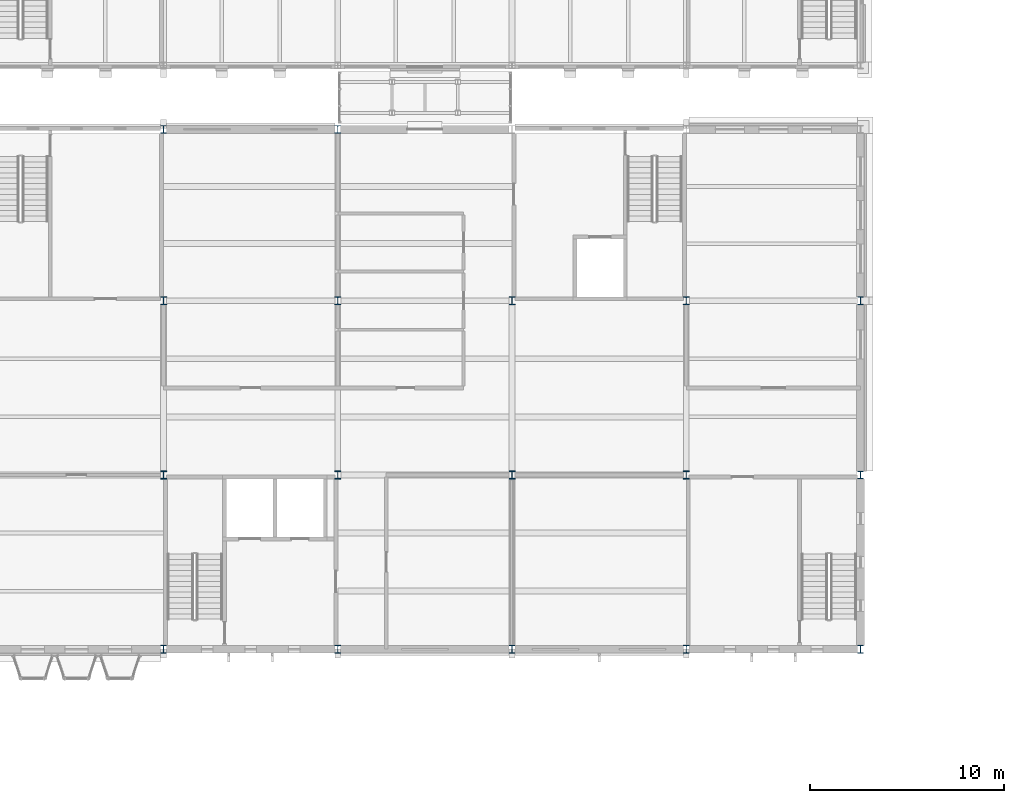
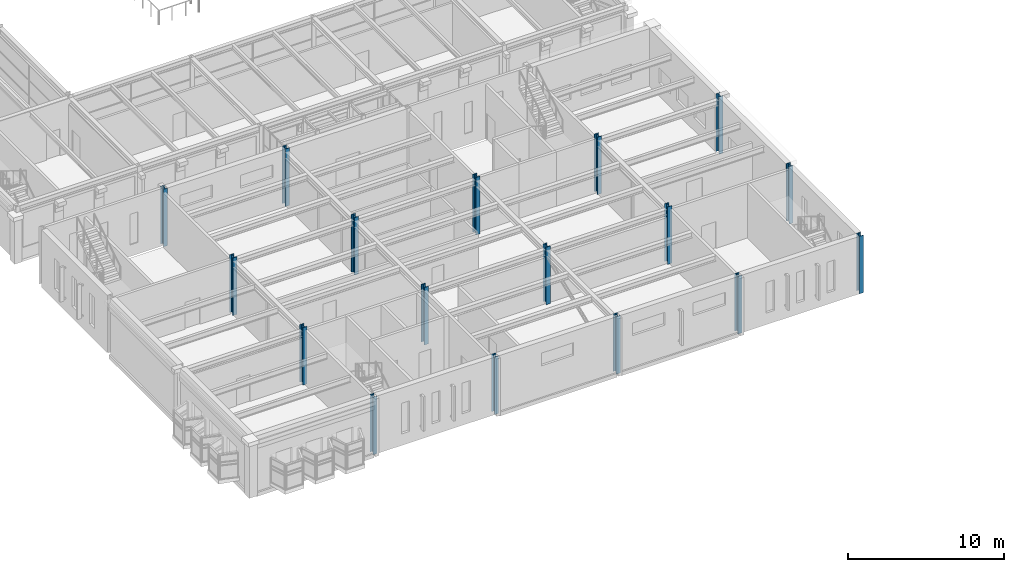
# One storey, part 4 of 153: 17 columns.
"""IFC4 building model written with IfcOpenShell, lengths in metres."""

from ifc_helpers import new_model, si_unit, direction, frame, origin, origin_2d, place, context, subcontext, project, spatial, i_section, extrude, material, material_profile, profile_set, type_object, element, save


model = new_model("IFC4")

# Units and contexts
model_context = context("Model", 3, precision=1e-05, world=origin(), true_north=direction((0.0, 1.0)))
body_context = subcontext(model_context, "Body", "Model", "MODEL_VIEW")
ifc_project = project(units=[si_unit("LENGTHUNIT", "METRE"), si_unit("AREAUNIT", "SQUARE_METRE"), si_unit("VOLUMEUNIT", "CUBIC_METRE"), si_unit("PLANEANGLEUNIT", "RADIAN"), si_unit("MASSUNIT", "GRAM", prefix="KILO")], contexts=[model_context])

# Site, building, storey
site_placement = place(None, origin())
site = spatial("IfcSite", under=ifc_project, at=site_placement, CompositionType="ELEMENT")
building_placement = place(site_placement, origin())
building = spatial("IfcBuilding", under=site, at=building_placement, Name="Kallimachos Central Library", CompositionType="ELEMENT")
storey_placement = place(building_placement, frame((0.0, 0.0, 5.39990234375)))
storey = spatial("IfcBuildingStorey", under=building, at=storey_placement, Name="L01", CompositionType="ELEMENT", Elevation=5.39990234375)

# Columns
ifc_material_1 = material(Name="Steel S355J2", Category="steel")
ifc_material_profile_1 = material_profile(ifc_material_1, i_section(OverallWidth=0.300048828125, OverallDepth=0.39990234375, WebThickness=0.013427734375, FlangeThickness=0.02392578125, FilletRadius=0.027099609375, at=origin_2d()), Name="HEB 400")
ifc_profile_set_1 = profile_set([ifc_material_profile_1], Name="Steel S355J2")
column_type_1 = type_object("IfcColumnType", Name="HEB 400 column", PredefinedType="COLUMN", material=ifc_profile_set_1)
for number, where, z_axis, x_axis, name in (
    (1, (74.5, 18.0, 0.0), (0.0, 0.0, 1.0), (1.0, 0.0, 0.0), "V5-COL-L01-002"),
    (2, (83.5, 18.0, 0.0), (0.0, 0.0, 1.0), (1.0, 0.0, 0.0), "V5-COL-L01-003"),
    (3, (92.5, 18.0, 0.0), (0.0, 0.0, 1.0), (1.0, 0.0, 0.0), "V5-COL-L01-004"),
    (4, (101.5, 18.0, 0.0), (0.0, 0.0, 1.0), (1.0, 0.0, 0.0), "V5-COL-L01-005"),
    (5, (110.5, 18.0, 0.0), (0.0, 0.0, 1.0), (1.0, 0.0, 0.0), "V5-COL-L01-006"),
    (6, (110.5, 27.0, 0.0), (0.0, 0.0, 1.0), (1.0, 0.0, 0.0), "V5-COL-L01-012"),
    (7, (110.5, 36.0, 0.0), (0.0, 0.0, 1.0), (1.0, 0.0, 0.0), "V5-COL-L01-018"),
    (8, (74.5, 44.85009765625, 0.0), (0.0, 0.0, 1.0), (1.0, 0.0, 0.0), "V5-COL-L01-020"),
    (9, (83.5, 44.85009765625, 0.0), (0.0, 0.0, 1.0), (1.0, 0.0, 0.0), "V5-COL-L01-021"),
):
    element("IfcColumn", number, at=place(storey_placement, frame(where, z_axis=z_axis, x_axis=x_axis)), inside=storey, type_object=column_type_1, Name=name, PredefinedType="COLUMN", context=body_context, shape_type="SweptSolid", body=[
        extrude(i_section(OverallWidth=0.300048828125, OverallDepth=0.39990234375, WebThickness=0.013427734375, FlangeThickness=0.02392578125, FilletRadius=0.027099609375, at=origin_2d()), origin(), (0.0, 0.0, 1.0), 4.5),
    ])
ifc_material_2 = material(Name="Steel S355J2", Category="steel")
ifc_material_profile_2 = material_profile(ifc_material_2, i_section(OverallWidth=0.306884765625, OverallDepth=0.431884765625, WebThickness=0.02099609375, FlangeThickness=0.0400390625, FilletRadius=0.027099609375, at=origin_2d()), Name="HEM 400")
ifc_profile_set_2 = profile_set([ifc_material_profile_2], Name="Steel S355J2")
column_type_2 = type_object("IfcColumnType", Name="HEM 400 column", PredefinedType="COLUMN", material=ifc_profile_set_2)
for number, where, z_axis, x_axis, name in (
    (10, (74.5, 27.0, 0.0), (0.0, 0.0, 1.0), (1.0, 0.0, 0.0), "V5-COL-L01-008"),
    (11, (83.5, 27.0, 0.0), (0.0, 0.0, 1.0), (1.0, 0.0, 0.0), "V5-COL-L01-009"),
    (12, (92.5, 27.0, 0.0), (0.0, 0.0, 1.0), (1.0, 0.0, 0.0), "V5-COL-L01-010"),
    (13, (101.5, 27.0, 0.0), (0.0, 0.0, 1.0), (1.0, 0.0, 0.0), "V5-COL-L01-011"),
    (14, (74.5, 36.0, 0.0), (0.0, 0.0, 1.0), (1.0, 0.0, 0.0), "V5-COL-L01-014"),
    (15, (83.5, 36.0, 0.0), (0.0, 0.0, 1.0), (1.0, 0.0, 0.0), "V5-COL-L01-015"),
    (16, (92.5, 36.0, 0.0), (0.0, 0.0, 1.0), (1.0, 0.0, 0.0), "V5-COL-L01-016"),
    (17, (101.5, 36.0, 0.0), (0.0, 0.0, 1.0), (1.0, 0.0, 0.0), "V5-COL-L01-017"),
):
    element("IfcColumn", number, at=place(storey_placement, frame(where, z_axis=z_axis, x_axis=x_axis)), inside=storey, type_object=column_type_2, Name=name, PredefinedType="COLUMN", context=body_context, shape_type="SweptSolid", body=[
        extrude(i_section(OverallWidth=0.306884765625, OverallDepth=0.431884765625, WebThickness=0.02099609375, FlangeThickness=0.0400390625, FilletRadius=0.027099609375, at=origin_2d()), origin(), (0.0, 0.0, 1.0), 4.5),
    ])

save(model, "model.ifc")
